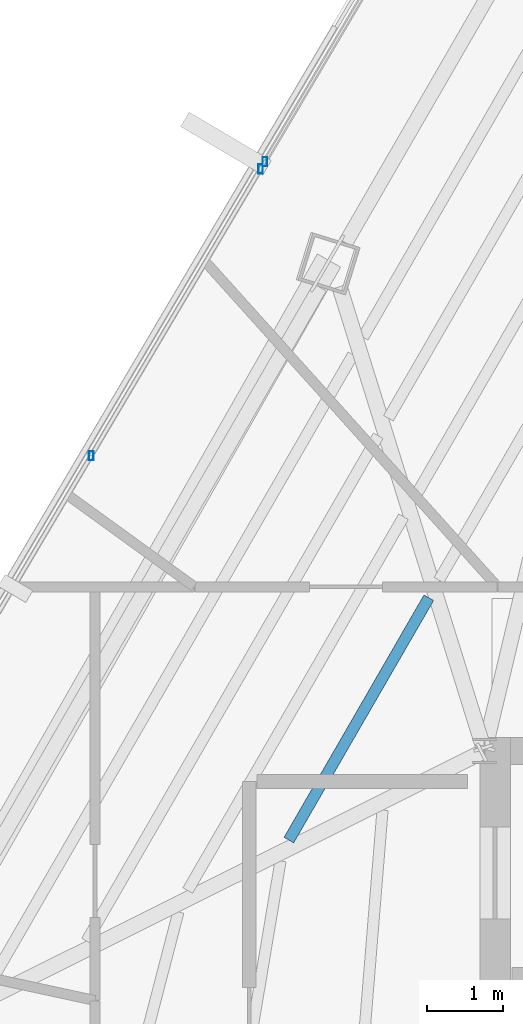
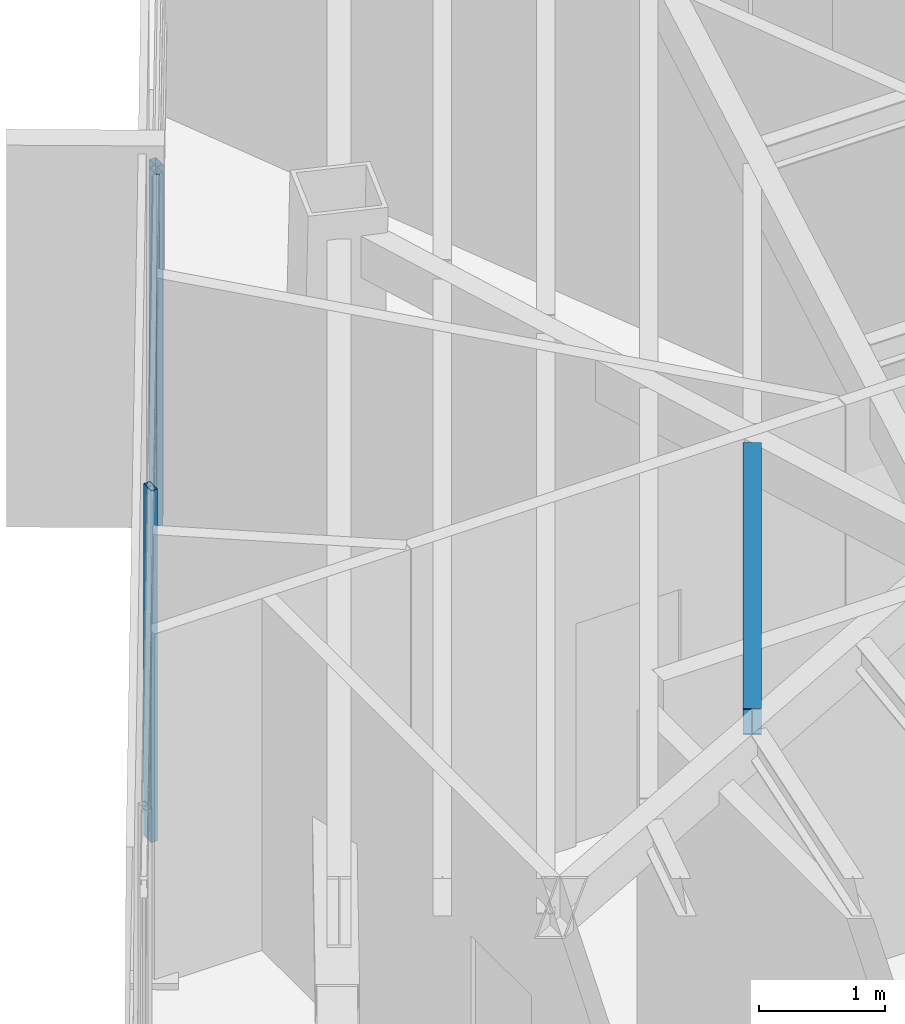
# One storey, part 17 of 45: 3 members, 1 beam, 2 elements without a shape of their own.
"""IFC4 building model written with IfcOpenShell, lengths in metres."""

from ifc_helpers import new_model, si_unit, direction, frame, origin, origin_2d, place, context, subcontext, project, spatial, hollow_rectangle, i_section, extrude, source, transform, mapped, material, material_profile, profile_set, type_object, type_shapes, element, aggregate, save


model = new_model("IFC4")

# Units and contexts
model_context = context("Model", 3, precision=1e-05, world=origin(), true_north=direction((0.0, 1.0)))
body_context = subcontext(model_context, "Body", "Model", "MODEL_VIEW")
ifc_project = project(units=[si_unit("LENGTHUNIT", "METRE"), si_unit("AREAUNIT", "SQUARE_METRE"), si_unit("VOLUMEUNIT", "CUBIC_METRE"), si_unit("PLANEANGLEUNIT", "RADIAN"), si_unit("MASSUNIT", "GRAM", prefix="KILO")], contexts=[model_context])

# Site, building, storey
site_placement = place(None, origin())
site = spatial("IfcSite", under=ifc_project, at=site_placement, CompositionType="ELEMENT")
building_placement = place(site_placement, origin())
building = spatial("IfcBuilding", under=site, at=building_placement, Name="Caelisora Broadcast Tower", CompositionType="ELEMENT")
storey_placement = place(building_placement, frame((0.0, 0.0, 266.35009765625)))
storey = spatial("IfcBuildingStorey", under=building, at=storey_placement, Name="L70", CompositionType="ELEMENT", Elevation=266.35009765625)

# Beam
ifc_material_1 = material(Name="Steel Grade 350 (AS/NZS 3679.1)", Category="steel")
ifc_material_profile_1 = material_profile(ifc_material_1, i_section(OverallWidth=0.14599609375, OverallDepth=0.256103515625, WebThickness=0.00634765625, FlangeThickness=0.010986328125, at=origin_2d()), Name="Steel Grade 350 (AS/NZS 3679.1)")
ifc_profile_set_1 = profile_set([ifc_material_profile_1], Name="Steel Grade 350 (AS/NZS 3679.1)")
beam_type = type_object("IfcBeamType", Name="SB04", PredefinedType="JOIST", material=ifc_profile_set_1)
shared_shape_1 = source(origin(), body_context, "Body", "SweptSolid", [
    extrude(i_section(OverallWidth=0.14599609375, OverallDepth=0.256103515625, WebThickness=0.00634765625, FlangeThickness=0.010986328125, at=origin_2d()), origin(), (0.0, 0.0, 1.0), 3.666015625),
])
type_shapes(beam_type, [shared_shape_1])
beam_placement = place(storey_placement, frame((29.771240234375, 32.0068359375, 3.271728515625), z_axis=(-0.500006847747, -0.8660214502, 0.0), x_axis=(0.8660214502, -0.500006847747, 0.0)))
element("IfcBeam", 1, at=beam_placement, inside=storey, type_object=beam_type, Name="L70 beam SB04", PredefinedType="JOIST", context=body_context, shape_type="MappedRepresentation", body=[
    mapped(shared_shape_1, transform((0.0, 0.0, 0.0), scale=1.0)),
])

# Curtain wall, members
ifc_material_2 = material(Name="Unitised Aluminium Insulated Shadow-Box Spandrel Curtain Wall", Category="aluminium")
curtain_wall_type_1 = type_object("IfcCurtainWallType", Name="CW-SP3", PredefinedType="NOTDEFINED", material=ifc_material_2)
curtain_wall_1_placement = place(storey_placement, origin())
curtain_wall_1 = element("IfcCurtainWall", 2, at=curtain_wall_1_placement, inside=storey, type_object=curtain_wall_type_1, Name="L70 curtain wall CW-SP3", PredefinedType="NOTDEFINED")
ifc_material_3 = material(Name="Aluminium 6063-T6 Anodised Terracotta Bronze", Category="aluminium")
ifc_material_profile_2 = material_profile(ifc_material_3, hollow_rectangle(XDim=0.06005859375, YDim=0.1201171875, WallThickness=0.0029296875, at=origin_2d()), Name="Aluminium 6063-T6 Anodised Terracotta Bronze")
ifc_profile_set_2 = profile_set([ifc_material_profile_2], Name="Aluminium 6063-T6 Anodised Terracotta Bronze")
member_type = type_object("IfcMemberType", Name="CWM-04", PredefinedType="MULLION", material=ifc_profile_set_2)
shared_shape_2 = source(origin(), body_context, "Body", "SweptSolid", [
    extrude(hollow_rectangle(XDim=0.06005859375, YDim=0.1201171875, WallThickness=0.0029296875, at=origin_2d()), origin(), (0.0, 0.0, 1.0), 3.39990234375),
])
type_shapes(member_type, [shared_shape_2])
member_1_placement = place(storey_placement, frame((25.3486328125, 33.8681640625, 0.0), z_axis=(0.0, 0.0, 1.0), x_axis=(1.0, 0.0, 0.0)))
member_1 = element("IfcMember", 3, at=member_1_placement, type_object=member_type, Name="L70-CW-B10 mullion #2", PredefinedType="MULLION", context=body_context, shape_type="MappedRepresentation", body=[
    mapped(shared_shape_2, transform((0.0, 0.0, 0.0), scale=1.0)),
])
member_2_placement = place(storey_placement, frame((27.5673828125, 37.62451171875, 0.0), z_axis=(0.0, 0.0, 1.0), x_axis=(1.0, 0.0, 0.0)))
member_2 = element("IfcMember", 4, at=member_2_placement, type_object=member_type, Name="L70-CW-B10 mullion #3", PredefinedType="MULLION", context=body_context, shape_type="MappedRepresentation", body=[
    mapped(shared_shape_2, transform((0.0, 0.0, 0.0), scale=1.0)),
])
aggregate(curtain_wall_1, [member_1, member_2])

# Curtain wall, member
ifc_material_4 = material(Name="Unitised Aluminium and Low-E Glass Curtain Wall", Category="glass")
curtain_wall_type_2 = type_object("IfcCurtainWallType", Name="CW-Z5", PredefinedType="NOTDEFINED", material=ifc_material_4)
curtain_wall_2_placement = place(storey_placement, origin())
curtain_wall_2 = element("IfcCurtainWall", 5, at=curtain_wall_2_placement, inside=storey, type_object=curtain_wall_type_2, Name="L70 curtain wall CW-Z5", PredefinedType="NOTDEFINED")
member_3_placement = place(storey_placement, frame((27.623291015625, 37.71923828125, 0.0), z_axis=(0.0, 0.0, 1.0), x_axis=(1.0, 0.0, 0.0)))
member_3 = element("IfcMember", 6, at=member_3_placement, type_object=member_type, Name="L70-CW-B11 mullion #0", PredefinedType="MULLION", context=body_context, shape_type="MappedRepresentation", body=[
    mapped(shared_shape_2, transform((0.0, 0.0, 0.0), scale=1.0)),
])
aggregate(curtain_wall_2, [member_3])

save(model, "model.ifc")
